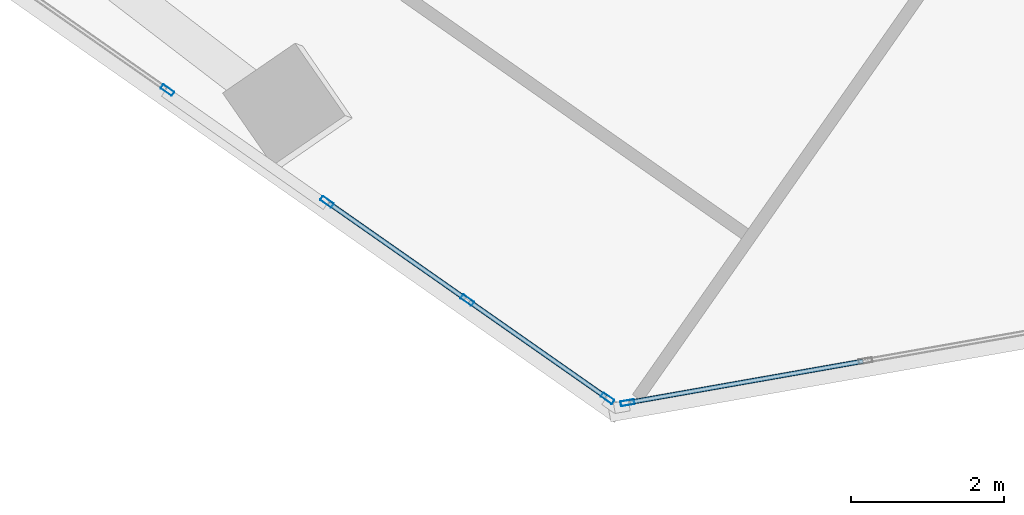
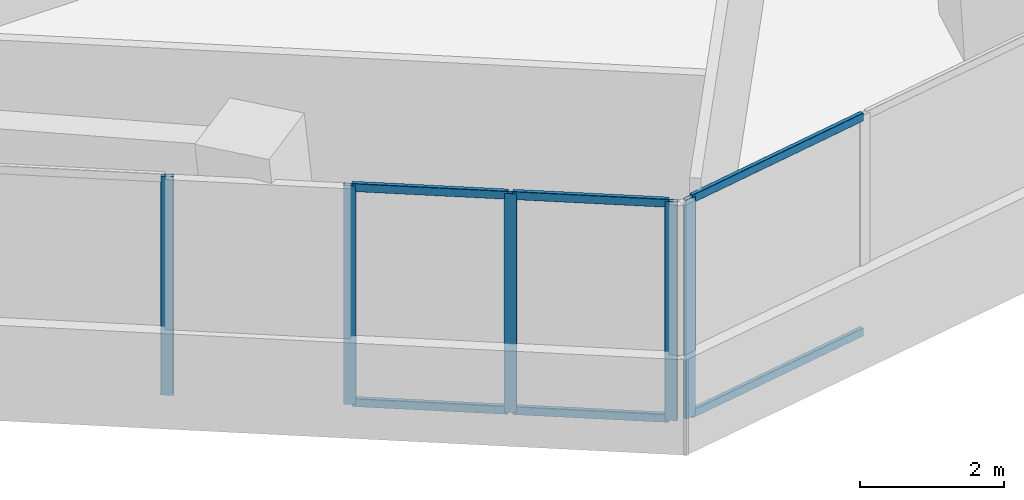
# One storey, part 3 of 21: 11 members, 3 elements without a shape of their own.
"""IFC4 building model written with IfcOpenShell, lengths in metres."""

from ifc_helpers import new_model, si_unit, direction, frame, origin, origin_2d, place, context, subcontext, project, spatial, hollow_rectangle, extrude, source, transform, mapped, material, material_profile, profile_set, type_object, element, aggregate, save


model = new_model("IFC4")

# Units and contexts
model_context = context("Model", 3, precision=1e-05, world=origin(), true_north=direction((0.0, 1.0)))
body_context = subcontext(model_context, "Body", "Model", "MODEL_VIEW")
ifc_project = project(units=[si_unit("LENGTHUNIT", "METRE"), si_unit("AREAUNIT", "SQUARE_METRE"), si_unit("VOLUMEUNIT", "CUBIC_METRE"), si_unit("PLANEANGLEUNIT", "RADIAN"), si_unit("MASSUNIT", "GRAM", prefix="KILO")], contexts=[model_context])

# Site, building, storey
site_placement = place(None, origin())
site = spatial("IfcSite", under=ifc_project, at=site_placement, CompositionType="ELEMENT")
building_placement = place(site_placement, origin())
building = spatial("IfcBuilding", under=site, at=building_placement, Name="Torre Montelarca", CompositionType="ELEMENT")
storey_placement = place(building_placement, frame((0.0, 0.0, 200.199951171875)))
storey = spatial("IfcBuildingStorey", under=building, at=storey_placement, Name="L45", CompositionType="ELEMENT", Elevation=200.199951171875)

# Curtain wall, members
ifc_material_1 = material(Name="Insulated low-E laminated glass", Category="glass")
curtain_wall_type = type_object("IfcCurtainWallType", Name="CW-SYS-Z2", PredefinedType="USERDEFINED", material=ifc_material_1)
curtain_wall_1_placement = place(storey_placement, origin())
curtain_wall_1 = element("IfcCurtainWall", 1, at=curtain_wall_1_placement, inside=storey, type_object=curtain_wall_type, Name="L45 Curtain Wall Run CW-T3-L45-E02-B1", ObjectType="UNITISED GLAZING", PredefinedType="USERDEFINED")
ifc_material_2 = material(Name="Anodised aluminium AA 6063-T6", Category="aluminium")
ifc_material_profile_1 = material_profile(ifc_material_2, hollow_rectangle(XDim=0.06494140625, YDim=0.139892578125, WallThickness=0.00390625, InnerFilletRadius=0.00390625, OuterFilletRadius=0.008056640625, at=origin_2d()), Name="ALU65X140X4", Category="aluminium")
ifc_profile_set_1 = profile_set([ifc_material_profile_1], Name="Anodised aluminium AA 6063-T6")
member_type_1 = type_object("IfcMemberType", Name="CWT-ALU140", PredefinedType="USERDEFINED", material=ifc_profile_set_1)
shared_shape_1 = source(origin(), body_context, "Body", "SweptSolid", [
    extrude(hollow_rectangle(XDim=0.06494140625, YDim=0.139892578125, WallThickness=0.00390625, InnerFilletRadius=0.00390625, OuterFilletRadius=0.008056640625, at=origin_2d()), origin(), (0.0, 0.0, 1.0), 3.102294921875),
])
member_1_placement = place(storey_placement, frame((20.194580078125, 11.007568359375, 0.032470703125), z_axis=(0.984815232543, 0.173605753795, 0.0), x_axis=(-0.173605753795, 0.984815232543, 0.0)))
member_1 = element("IfcMember", 2, at=member_1_placement, type_object=member_type_1, Name="CW transom 1.1", ObjectType="TRANSOM", PredefinedType="USERDEFINED", context=body_context, shape_type="MappedRepresentation", body=[
    mapped(shared_shape_1, transform((0.0, 0.0, 0.0), scale=1.0)),
])
member_2_placement = place(storey_placement, frame((20.194580078125, 11.007568359375, 3.6875), z_axis=(0.984815232543, 0.173605753795, 0.0), x_axis=(-0.173605753795, 0.984815232543, 0.0)))
member_2 = element("IfcMember", 3, at=member_2_placement, type_object=member_type_1, Name="CW transom 1.2", ObjectType="TRANSOM", PredefinedType="USERDEFINED", context=body_context, shape_type="MappedRepresentation", body=[
    mapped(shared_shape_1, transform((0.0, 0.0, 0.0), scale=1.0)),
])

# Curtain wall, member
curtain_wall_2_placement = place(storey_placement, origin())
curtain_wall_2 = element("IfcCurtainWall", 4, at=curtain_wall_2_placement, inside=storey, type_object=curtain_wall_type, Name="L45 Curtain Wall Run CW-T3-L45-E01-B1", ObjectType="UNITISED GLAZING", PredefinedType="USERDEFINED")
ifc_material_profile_2 = material_profile(ifc_material_2, hollow_rectangle(XDim=0.06494140625, YDim=0.179931640625, WallThickness=0.00390625, InnerFilletRadius=0.00390625, OuterFilletRadius=0.008056640625, at=origin_2d()), Name="ALU65X180X4", Category="aluminium")
ifc_profile_set_2 = profile_set([ifc_material_profile_2], Name="Anodised aluminium AA 6063-T6")
member_type_2 = type_object("IfcMemberType", Name="CWM-ALU180", PredefinedType="MULLION", material=ifc_profile_set_2)
shared_shape_2 = source(origin(), body_context, "Body", "SweptSolid", [
    extrude(hollow_rectangle(XDim=0.06494140625, YDim=0.179931640625, WallThickness=0.00390625, InnerFilletRadius=0.00390625, OuterFilletRadius=0.008056640625, at=origin_2d()), origin(), (0.0, 0.0, 1.0), 3.719970703125),
])
member_3_placement = place(storey_placement, frame((14.131103515625, 15.100341796875, 0.0), z_axis=(0.0, 0.0, 1.0), x_axis=(0.573572586819, 0.819154739747, 0.0)))
member_3 = element("IfcMember", 5, at=member_3_placement, type_object=member_type_2, Name="CW mullion 3", PredefinedType="MULLION", context=body_context, shape_type="MappedRepresentation", body=[
    mapped(shared_shape_2, transform((0.0, 0.0, 0.0), scale=1.0)),
])
aggregate(curtain_wall_2, [member_3])

# Curtain wall, members
curtain_wall_3_placement = place(storey_placement, origin())
curtain_wall_3 = element("IfcCurtainWall", 6, at=curtain_wall_3_placement, inside=storey, type_object=curtain_wall_type, Name="L45 Curtain Wall Run CW-T3-L45-E01-B2", ObjectType="UNITISED GLAZING", PredefinedType="USERDEFINED")
member_4_placement = place(storey_placement, frame((16.22314453125, 13.635498046875, 0.0), z_axis=(0.0, 0.0, 1.0), x_axis=(0.573561042834, 0.81916282273, 0.0)))
member_4 = element("IfcMember", 7, at=member_4_placement, type_object=member_type_2, Name="CW mullion 1", PredefinedType="MULLION", context=body_context, shape_type="MappedRepresentation", body=[
    mapped(shared_shape_2, transform((0.0, 0.0, 0.0), scale=1.0)),
])
member_5_placement = place(storey_placement, frame((18.0625, 12.34765625, 0.0), z_axis=(0.0, 0.0, 1.0), x_axis=(0.573561042834, 0.81916282273, 0.0)))
member_5 = element("IfcMember", 8, at=member_5_placement, type_object=member_type_2, Name="CW mullion 2", PredefinedType="MULLION", context=body_context, shape_type="MappedRepresentation", body=[
    mapped(shared_shape_2, transform((0.0, 0.0, 0.0), scale=1.0)),
])
member_6_placement = place(storey_placement, frame((19.90185546875, 11.059814453125, 0.0), z_axis=(0.0, 0.0, 1.0), x_axis=(0.573561042834, 0.81916282273, 0.0)))
member_6 = element("IfcMember", 9, at=member_6_placement, type_object=member_type_2, Name="CW mullion 3", PredefinedType="MULLION", context=body_context, shape_type="MappedRepresentation", body=[
    mapped(shared_shape_2, transform((0.0, 0.0, 0.0), scale=1.0)),
])

# Member
member_7_placement = place(storey_placement, frame((20.16259765625, 11.001953125, 0.0), z_axis=(0.0, 0.0, 1.0), x_axis=(-0.173635574451, 0.984809975216, 0.0)))
member_7 = element("IfcMember", 10, at=member_7_placement, type_object=member_type_2, Name="CW mullion 1", PredefinedType="MULLION", context=body_context, shape_type="MappedRepresentation", body=[
    mapped(shared_shape_2, transform((0.0, 0.0, 0.0), scale=1.0)),
])

aggregate(curtain_wall_1, [member_7, member_1, member_2])

shared_shape_3 = source(origin(), body_context, "Body", "SweptSolid", [
    extrude(hollow_rectangle(XDim=0.06494140625, YDim=0.139892578125, WallThickness=0.00390625, InnerFilletRadius=0.00390625, OuterFilletRadius=0.008056640625, at=origin_2d()), origin(), (0.0, 0.0, 1.0), 2.180419921875),
])
member_8_placement = place(storey_placement, frame((16.249755859375, 13.61669921875, 0.032470703125), z_axis=(0.819189834739, -0.573522462211, 0.0), x_axis=(0.573522462211, 0.819189834739, 0.0)))
member_8 = element("IfcMember", 11, at=member_8_placement, type_object=member_type_1, Name="CW transom 1.1", ObjectType="TRANSOM", PredefinedType="USERDEFINED", context=body_context, shape_type="MappedRepresentation", body=[
    mapped(shared_shape_3, transform((0.0, 0.0, 0.0), scale=1.0)),
])

member_9_placement = place(storey_placement, frame((16.249755859375, 13.61669921875, 3.6875), z_axis=(0.819189834739, -0.573522462211, 0.0), x_axis=(0.573522462211, 0.819189834739, 0.0)))
member_9 = element("IfcMember", 12, at=member_9_placement, type_object=member_type_1, Name="CW transom 1.2", ObjectType="TRANSOM", PredefinedType="USERDEFINED", context=body_context, shape_type="MappedRepresentation", body=[
    mapped(shared_shape_3, transform((0.0, 0.0, 0.0), scale=1.0)),
])

member_10_placement = place(storey_placement, frame((18.089111328125, 12.328857421875, 0.032470703125), z_axis=(0.819189834739, -0.573522462211, 0.0), x_axis=(0.573522462211, 0.819189834739, 0.0)))
member_10 = element("IfcMember", 13, at=member_10_placement, type_object=member_type_1, Name="CW transom 2.1", ObjectType="TRANSOM", PredefinedType="USERDEFINED", context=body_context, shape_type="MappedRepresentation", body=[
    mapped(shared_shape_3, transform((0.0, 0.0, 0.0), scale=1.0)),
])

member_11_placement = place(storey_placement, frame((18.089111328125, 12.328857421875, 3.6875), z_axis=(0.819189834739, -0.573522462211, 0.0), x_axis=(0.573522462211, 0.819189834739, 0.0)))
member_11 = element("IfcMember", 14, at=member_11_placement, type_object=member_type_1, Name="CW transom 2.2", ObjectType="TRANSOM", PredefinedType="USERDEFINED", context=body_context, shape_type="MappedRepresentation", body=[
    mapped(shared_shape_3, transform((0.0, 0.0, 0.0), scale=1.0)),
])

aggregate(curtain_wall_3, [member_4, member_5, member_6, member_8, member_9, member_10, member_11])

save(model, "model.ifc")
